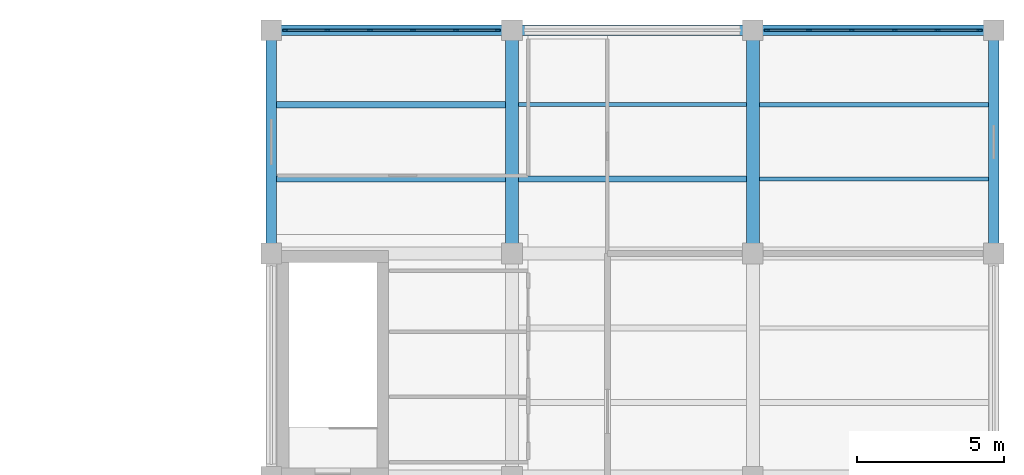
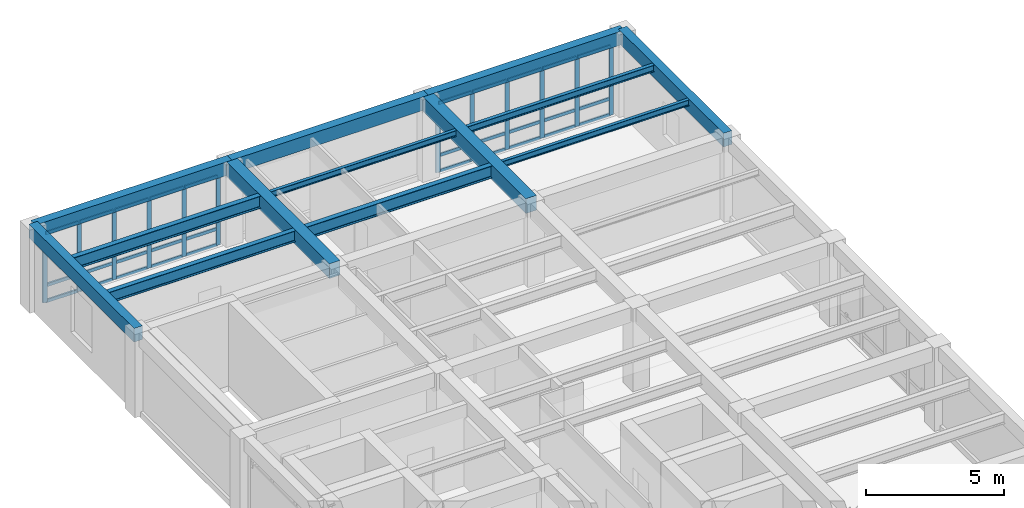
# One storey, part 4 of 8: 42 members, 13 beams, 2 elements without a shape of their own.
"""IFC4 building model written with IfcOpenShell, lengths in metres."""

import ifcopenshell
import ifcopenshell.guid

model = None  # the IFC model being written
_history = None  # IfcOwnerHistory: only IFC2X3 demands one
_inside = {}  # id of a spatial element -> (the spatial element, [elements in it])
_under = {}  # id of a project, library or spatial element -> (it, [spatial elements below it])
_declared = {}  # id of a project -> (the project, [libraries it declares])
_typed = {}  # id of a type object -> (the type object, [elements of that type])
_made_of = {}  # id of a material, layer set ... -> (it, [elements and type objects made of it])


def new_model(schema):
    """Start an empty IFC model of exactly this schema.

    Asked for "IFC4X3", IfcOpenShell would pick the latest addendum, in which some entities
    have other attributes; the version numbers below select the first issue.
    IFC2X3 requires an IfcOwnerHistory on every rooted entity: one is made here for all.
    """
    global model, _history
    if schema == "IFC4X3":
        model = ifcopenshell.file(schema_version=(4, 3, 0, 0))
    else:
        model = ifcopenshell.file(schema=schema)
    _inside.clear()
    _under.clear()
    _declared.clear()
    _typed.clear()
    _made_of.clear()
    _history = None
    if model.schema == "IFC2X3":
        org = make("IfcOrganization", Name="unknown")
        user = make(
            "IfcPersonAndOrganization",
            ThePerson=make("IfcPerson", FamilyName="unknown"),
            TheOrganization=org,
        )
        app = make(
            "IfcApplication",
            ApplicationDeveloper=org,
            Version="unknown",
            ApplicationFullName="unknown",
            ApplicationIdentifier="unknown",
        )
        _history = make(
            "IfcOwnerHistory",
            OwningUser=user,
            OwningApplication=app,
            ChangeAction="ADDED",
            CreationDate=0,
        )
    return model


def make(cls, **values):
    """One entity of the class cls with the attributes given. An attribute that is None is left unset."""
    return model.create_entity(
        cls, **{name: value for name, value in values.items() if value is not None}
    )


def rooted(cls, **values):
    """An entity with a GlobalId (a new one), such as an element, a storey or a relation."""
    return make(cls, GlobalId=ifcopenshell.guid.new(), OwnerHistory=_history, **values)


def si_unit(unit_type, name, prefix=None):
    """IfcSIUnit, for example si_unit("LENGTHUNIT", "METRE", prefix="MILLI")."""
    return make("IfcSIUnit", UnitType=unit_type, Prefix=prefix, Name=name)


def assignment(units):
    """IfcUnitAssignment: the units of a project."""
    return None if units is None else make("IfcUnitAssignment", Units=units)


def point(xyz):
    """IfcCartesianPoint."""
    return None if xyz is None else make("IfcCartesianPoint", Coordinates=xyz)


def direction(xyz):
    """IfcDirection."""
    return None if xyz is None else make("IfcDirection", DirectionRatios=xyz)


def frame(location, z_axis=None, x_axis=None):
    """IfcAxis2Placement3D, a coordinate frame: its origin and axes. An axis left out is left unset."""
    return make(
        "IfcAxis2Placement3D",
        Location=point(location),
        Axis=direction(z_axis),
        RefDirection=direction(x_axis),
    )


def frame_2d(location, x_axis=None):
    """IfcAxis2Placement2D, a coordinate frame in the plane: its origin and x axis."""
    return make(
        "IfcAxis2Placement2D", Location=point(location), RefDirection=direction(x_axis)
    )


def origin():
    """The frame at (0, 0, 0) with its axes left unset."""
    return frame((0.0, 0.0, 0.0))


def origin_2d():
    """The frame at (0, 0) in the plane with its x axis left unset."""
    return frame_2d((0.0, 0.0))


def place(relative_to, where):
    """IfcLocalPlacement: puts the frame where relative to a parent placement (None: the world)."""
    return make(
        "IfcLocalPlacement", PlacementRelTo=relative_to, RelativePlacement=where
    )


def context(
    kind, dimensions, precision=None, world=None, true_north=None, identifier=None
):
    """IfcGeometricRepresentationContext, for example the 3D "Model" context."""
    return make(
        "IfcGeometricRepresentationContext",
        ContextIdentifier=identifier,
        ContextType=kind,
        CoordinateSpaceDimension=dimensions,
        Precision=precision,
        WorldCoordinateSystem=world,
        TrueNorth=true_north,
    )


def subcontext(parent, identifier, kind, view, scale=None):
    """IfcGeometricRepresentationSubContext, for example "Body" below "Model"."""
    return make(
        "IfcGeometricRepresentationSubContext",
        ContextIdentifier=identifier,
        ContextType=kind,
        ParentContext=parent,
        TargetScale=scale,
        TargetView=view,
    )


def project(units=None, contexts=None):
    """IfcProject with its units and contexts."""
    return rooted(
        "IfcProject",
        Name="project",
        RepresentationContexts=contexts,
        UnitsInContext=assignment(units),
    )


def spatial(cls, under=None, at=None, **own):
    """A site, building, storey or space (cls), placed at a placement, below another one or the project."""
    s = rooted(cls, ObjectPlacement=at, **own)
    if under is not None:
        _under.setdefault(under.id(), (under, []))[1].append(s)
    return s


def profile(cls, at=None, kind="AREA", **sizes):
    """A parametric profile (cls). Its sizes go by their IFC names, for example OverallWidth=200.0."""
    return make(cls, ProfileType=kind, Position=at, **sizes)


def rectangle(**sizes):
    """IfcRectangleProfileDef."""
    return profile("IfcRectangleProfileDef", **sizes)


def i_section(**sizes):
    """IfcIShapeProfileDef."""
    return profile("IfcIShapeProfileDef", **sizes)


def extrude(swept, where, along, depth):
    """IfcExtrudedAreaSolid: the profile swept, set in the frame where, extruded along a direction by depth."""
    return make(
        "IfcExtrudedAreaSolid",
        SweptArea=swept,
        Position=where,
        ExtrudedDirection=direction(along),
        Depth=depth,
    )


def shape(context_of_items, identifier, shape_type, items):
    """IfcShapeRepresentation: the items that make up one representation, for example the "Body"."""
    return make(
        "IfcShapeRepresentation",
        ContextOfItems=context_of_items,
        RepresentationIdentifier=identifier,
        RepresentationType=shape_type,
        Items=items,
    )


def material(Name=None, Category=None):
    """IfcMaterial."""
    return make("IfcMaterial", Name=Name, Category=Category)


def material_profile(
    of_material, cross_section, Name=None, Category=None, Priority=None
):
    """IfcMaterialProfile: a cross section and its material."""
    return make(
        "IfcMaterialProfile",
        Name=Name,
        Material=of_material,
        Profile=cross_section,
        Priority=Priority,
        Category=Category,
    )


def profile_set(profiles, Name=None, composite=None):
    """IfcMaterialProfileSet."""
    return make(
        "IfcMaterialProfileSet",
        Name=Name,
        MaterialProfiles=profiles,
        CompositeProfile=composite,
    )


def made_of(thing, what):
    """Note that an element or type object is made of a material, layer set ...; save() writes the relation."""
    if what is not None:
        _made_of.setdefault(what.id(), (what, []))[1].append(thing)
    return thing


def type_object(cls, material=None, **own):
    """A type object (cls), such as IfcWallType, which elements share."""
    return made_of(rooted(cls, **own), material)


def element(
    cls,
    number,
    at=None,
    inside=None,
    cuts=None,
    type_object=None,
    material=None,
    context=None,
    identifier="Body",
    shape_type=None,
    held_by="IfcProductDefinitionShape",
    body=None,
    shapes=None,
    **own,
):
    """One element of the class cls, such as IfcWall. Its Tag is "e" and its number.

    at: its placement. inside: the storey or other place that contains it. cuts: it is an
    opening in that element (IfcRelVoidsElement). A single representation is given by context,
    identifier, shape_type and body (its items); several are given by shapes. held_by: the class
    of the entity that holds the representations. save() writes the other relations.
    """
    e = rooted(cls, Tag="e%d" % number, ObjectPlacement=at, **own)
    if body is not None:
        shapes = [shape(context, identifier, shape_type, body)]
    if shapes is not None:
        e.Representation = make(held_by, Representations=shapes)
    if inside is not None:
        _inside.setdefault(inside.id(), (inside, []))[1].append(e)
    if cuts is not None:
        rooted(
            "IfcRelVoidsElement", RelatingBuildingElement=cuts, RelatedOpeningElement=e
        )
    if type_object is not None:
        _typed.setdefault(type_object.id(), (type_object, []))[1].append(e)
    return made_of(e, material)


def aggregate(whole, parts):
    """IfcRelAggregates: a whole, such as a stair, and the parts it consists of."""
    return rooted("IfcRelAggregates", RelatingObject=whole, RelatedObjects=parts)


def save(model, path):
    """Write the relations noted so far, then the file.

    IfcRelAggregates (storeys below a building ...), IfcRelContainedInSpatialStructure (elements
    in a storey), IfcRelDefinesByType, IfcRelAssociatesMaterial and IfcRelDeclares: one each for
    every whole, place, type object, material and project.
    """
    for whole, parts in _under.values():
        aggregate(whole, parts)
    for where, things in _inside.values():
        rooted(
            "IfcRelContainedInSpatialStructure",
            RelatedElements=things,
            RelatingStructure=where,
        )
    for kind, things in _typed.values():
        rooted("IfcRelDefinesByType", RelatedObjects=things, RelatingType=kind)
    for what, things in _made_of.values():
        rooted("IfcRelAssociatesMaterial", RelatedObjects=things, RelatingMaterial=what)
    for by, libraries in _declared.values():
        rooted("IfcRelDeclares", RelatingContext=by, RelatedDefinitions=libraries)
    model.write(path)


model = new_model("IFC4")

# Units and contexts
model_context = context("Model", 3, precision=1e-05, world=origin(), true_north=direction((0.0, 1.0)))
body_context = subcontext(model_context, "Body", "Model", "MODEL_VIEW")
ifc_project = project(units=[si_unit("LENGTHUNIT", "METRE"), si_unit("AREAUNIT", "SQUARE_METRE"), si_unit("VOLUMEUNIT", "CUBIC_METRE"), si_unit("PLANEANGLEUNIT", "RADIAN"), si_unit("MASSUNIT", "GRAM", prefix="KILO")], contexts=[model_context])

# Site, building, storey
site_placement = place(None, origin())
site = spatial("IfcSite", under=ifc_project, at=site_placement, CompositionType="ELEMENT")
building_placement = place(site_placement, origin())
building = spatial("IfcBuilding", under=site, at=building_placement, Name="Qandaris Square Conservatory and Botanical Centre", CompositionType="ELEMENT")
storey_placement = place(building_placement, frame((0.0, 0.0, 70.199951171875)))
storey = spatial("IfcBuildingStorey", under=building, at=storey_placement, Name="L16", CompositionType="ELEMENT", Elevation=70.199951171875)

# Beams
ifc_material_1 = material(Name="Steel S355", Category="steel")
ifc_material_profile_1 = material_profile(ifc_material_1, i_section(OverallWidth=0.199951171875, OverallDepth=0.5, WebThickness=0.01025390625, FlangeThickness=0.01611328125, FilletRadius=0.02099609375, at=origin_2d()), Name="IPE 500")
ifc_profile_set_1 = profile_set([ifc_material_profile_1], Name="Steel S355")
beam_type_1 = type_object("IfcBeamType", Name="Composite Gallery Joist IPE 500", PredefinedType="JOIST", material=ifc_profile_set_1)
beam_1_placement = place(storey_placement, frame((139.375, 49.533203125, 3.41015625), z_axis=(1.0, 0.0, 0.0), x_axis=(0.0, 1.0, 0.0)))
element("IfcBeam", 1, at=beam_1_placement, inside=storey, type_object=beam_type_1, Name="L16 Composite Joist 3022", PredefinedType="JOIST", context=body_context, shape_type="SweptSolid", body=[
    extrude(i_section(OverallWidth=0.199951171875, OverallDepth=0.5, WebThickness=0.01025390625, FlangeThickness=0.01611328125, FilletRadius=0.02099609375, at=origin_2d()), origin(), (0.0, 0.0, 1.0), 7.800048828125),
])
ifc_material_profile_2 = material_profile(ifc_material_1, i_section(OverallWidth=0.14990234375, OverallDepth=0.300048828125, WebThickness=0.007080078125, FlangeThickness=0.0107421875, FilletRadius=0.014892578125, at=origin_2d()), Name="IPE 300")
ifc_profile_set_2 = profile_set([ifc_material_profile_2], Name="Steel S355")
beam_type_2 = type_object("IfcBeamType", Name="Composite Lab Joist IPE 300", PredefinedType="JOIST", material=ifc_profile_set_2)
beam_2_placement = place(storey_placement, frame((155.824951171875, 52.066650390625, 3.510009765625), z_axis=(1.0, 0.0, 0.0), x_axis=(0.0, 1.0, 0.0)))
element("IfcBeam", 2, at=beam_2_placement, inside=storey, type_object=beam_type_2, Name="L16 Composite Joist 3041", PredefinedType="JOIST", context=body_context, shape_type="SweptSolid", body=[
    extrude(i_section(OverallWidth=0.14990234375, OverallDepth=0.300048828125, WebThickness=0.007080078125, FlangeThickness=0.0107421875, FilletRadius=0.014892578125, at=origin_2d()), origin(), (0.0, 0.0, 1.0), 7.800048828125),
])

# Curtain wall, members
ifc_material_2 = material(Name="Anodised Aluminium", Category="aluminium")
curtain_wall_type = type_object("IfcCurtainWallType", Name="Unitised Curtain Wall CW-3-730x307", PredefinedType="USERDEFINED", material=ifc_material_2)
curtain_wall_1_placement = place(storey_placement, origin())
curtain_wall_1 = element("IfcCurtainWall", 3, at=curtain_wall_1_placement, inside=storey, type_object=curtain_wall_type, Name="Curtain Wall CW-TWR-L16-3-1", ObjectType="GLAZED CURTAIN WALL", PredefinedType="USERDEFINED")
ifc_material_profile_3 = material_profile(ifc_material_2, rectangle(XDim=0.06494140625, YDim=0.179931640625, at=origin_2d()), Name="ALU-MUL 65x180")
ifc_profile_set_3 = profile_set([ifc_material_profile_3], Name="Anodised Aluminium")
member_type_1 = type_object("IfcMemberType", Name="Curtain Wall Mullion 65x180", PredefinedType="MULLION", material=ifc_profile_set_3)
member_1_placement = place(storey_placement, frame((163.3173828125, 54.60009765625, 0.0), z_axis=(0.0, 0.0, 1.0), x_axis=(0.0, -1.0, 0.0)))
member_1 = element("IfcMember", 4, at=member_1_placement, type_object=member_type_1, Name="CW-3-730x307 mullion 1", PredefinedType="MULLION", context=body_context, shape_type="SweptSolid", body=[
    extrude(rectangle(XDim=0.06494140625, YDim=0.179931640625, at=origin_2d()), origin(), (0.0, 0.0, 1.0), 3.070068359375),
])
member_2_placement = place(storey_placement, frame((161.889892578125, 54.60009765625, 0.0), z_axis=(0.0, 0.0, 1.0), x_axis=(0.0, -1.0, 0.0)))
member_2 = element("IfcMember", 5, at=member_2_placement, type_object=member_type_1, Name="CW-3-730x307 mullion 2", PredefinedType="MULLION", context=body_context, shape_type="SweptSolid", body=[
    extrude(rectangle(XDim=0.06494140625, YDim=0.179931640625, at=origin_2d()), origin(), (0.0, 0.0, 1.0), 3.070068359375),
])
member_3_placement = place(storey_placement, frame((160.429931640625, 54.60009765625, 0.0), z_axis=(0.0, 0.0, 1.0), x_axis=(0.0, -1.0, 0.0)))
member_3 = element("IfcMember", 6, at=member_3_placement, type_object=member_type_1, Name="CW-3-730x307 mullion 3", PredefinedType="MULLION", context=body_context, shape_type="SweptSolid", body=[
    extrude(rectangle(XDim=0.06494140625, YDim=0.179931640625, at=origin_2d()), origin(), (0.0, 0.0, 1.0), 3.070068359375),
])
member_4_placement = place(storey_placement, frame((158.969970703125, 54.60009765625, 0.0), z_axis=(0.0, 0.0, 1.0), x_axis=(0.0, -1.0, 0.0)))
member_4 = element("IfcMember", 7, at=member_4_placement, type_object=member_type_1, Name="CW-3-730x307 mullion 4", PredefinedType="MULLION", context=body_context, shape_type="SweptSolid", body=[
    extrude(rectangle(XDim=0.06494140625, YDim=0.179931640625, at=origin_2d()), origin(), (0.0, 0.0, 1.0), 3.070068359375),
])
member_5_placement = place(storey_placement, frame((157.510009765625, 54.60009765625, 0.0), z_axis=(0.0, 0.0, 1.0), x_axis=(0.0, -1.0, 0.0)))
member_5 = element("IfcMember", 8, at=member_5_placement, type_object=member_type_1, Name="CW-3-730x307 mullion 5", PredefinedType="MULLION", context=body_context, shape_type="SweptSolid", body=[
    extrude(rectangle(XDim=0.06494140625, YDim=0.179931640625, at=origin_2d()), origin(), (0.0, 0.0, 1.0), 3.070068359375),
])
member_6_placement = place(storey_placement, frame((156.08251953125, 54.60009765625, 0.0), z_axis=(0.0, 0.0, 1.0), x_axis=(0.0, -1.0, 0.0)))
member_6 = element("IfcMember", 9, at=member_6_placement, type_object=member_type_1, Name="CW-3-730x307 mullion 6", PredefinedType="MULLION", context=body_context, shape_type="SweptSolid", body=[
    extrude(rectangle(XDim=0.06494140625, YDim=0.179931640625, at=origin_2d()), origin(), (0.0, 0.0, 1.0), 3.070068359375),
])

curtain_wall_2_placement = place(storey_placement, origin())
curtain_wall_2 = element("IfcCurtainWall", 10, at=curtain_wall_2_placement, inside=storey, type_object=curtain_wall_type, Name="Curtain Wall CW-TWR-L16-3-3", ObjectType="GLAZED CURTAIN WALL", PredefinedType="USERDEFINED")
member_7_placement = place(storey_placement, frame((146.91748046875, 54.60009765625, 0.0), z_axis=(0.0, 0.0, 1.0), x_axis=(0.0, -1.0, 0.0)))
member_7 = element("IfcMember", 11, at=member_7_placement, type_object=member_type_1, Name="CW-3-730x307 mullion 1", PredefinedType="MULLION", context=body_context, shape_type="SweptSolid", body=[
    extrude(rectangle(XDim=0.06494140625, YDim=0.179931640625, at=origin_2d()), origin(), (0.0, 0.0, 1.0), 3.070068359375),
])
member_8_placement = place(storey_placement, frame((145.489990234375, 54.60009765625, 0.0), z_axis=(0.0, 0.0, 1.0), x_axis=(0.0, -1.0, 0.0)))
member_8 = element("IfcMember", 12, at=member_8_placement, type_object=member_type_1, Name="CW-3-730x307 mullion 2", PredefinedType="MULLION", context=body_context, shape_type="SweptSolid", body=[
    extrude(rectangle(XDim=0.06494140625, YDim=0.179931640625, at=origin_2d()), origin(), (0.0, 0.0, 1.0), 3.070068359375),
])
member_9_placement = place(storey_placement, frame((144.030029296875, 54.60009765625, 0.0), z_axis=(0.0, 0.0, 1.0), x_axis=(0.0, -1.0, 0.0)))
member_9 = element("IfcMember", 13, at=member_9_placement, type_object=member_type_1, Name="CW-3-730x307 mullion 3", PredefinedType="MULLION", context=body_context, shape_type="SweptSolid", body=[
    extrude(rectangle(XDim=0.06494140625, YDim=0.179931640625, at=origin_2d()), origin(), (0.0, 0.0, 1.0), 3.070068359375),
])
member_10_placement = place(storey_placement, frame((142.570068359375, 54.60009765625, 0.0), z_axis=(0.0, 0.0, 1.0), x_axis=(0.0, -1.0, 0.0)))
member_10 = element("IfcMember", 14, at=member_10_placement, type_object=member_type_1, Name="CW-3-730x307 mullion 4", PredefinedType="MULLION", context=body_context, shape_type="SweptSolid", body=[
    extrude(rectangle(XDim=0.06494140625, YDim=0.179931640625, at=origin_2d()), origin(), (0.0, 0.0, 1.0), 3.070068359375),
])
member_11_placement = place(storey_placement, frame((141.110107421875, 54.60009765625, 0.0), z_axis=(0.0, 0.0, 1.0), x_axis=(0.0, -1.0, 0.0)))
member_11 = element("IfcMember", 15, at=member_11_placement, type_object=member_type_1, Name="CW-3-730x307 mullion 5", PredefinedType="MULLION", context=body_context, shape_type="SweptSolid", body=[
    extrude(rectangle(XDim=0.06494140625, YDim=0.179931640625, at=origin_2d()), origin(), (0.0, 0.0, 1.0), 3.070068359375),
])
member_12_placement = place(storey_placement, frame((139.6826171875, 54.60009765625, 0.0), z_axis=(0.0, 0.0, 1.0), x_axis=(0.0, -1.0, 0.0)))
member_12 = element("IfcMember", 16, at=member_12_placement, type_object=member_type_1, Name="CW-3-730x307 mullion 6", PredefinedType="MULLION", context=body_context, shape_type="SweptSolid", body=[
    extrude(rectangle(XDim=0.06494140625, YDim=0.179931640625, at=origin_2d()), origin(), (0.0, 0.0, 1.0), 3.070068359375),
])

# Member
ifc_material_profile_4 = material_profile(ifc_material_2, rectangle(XDim=0.06494140625, YDim=0.139892578125, at=origin_2d()), Name="ALU-TRN 65x140")
ifc_profile_set_4 = profile_set([ifc_material_profile_4], Name="Anodised Aluminium")
member_type_2 = type_object("IfcMemberType", Name="Curtain Wall Transom 65x140", PredefinedType="USERDEFINED", material=ifc_profile_set_4)
member_13_placement = place(storey_placement, frame((163.284912109375, 54.60009765625, 0.032470703125), z_axis=(-1.0, 0.0, 0.0), x_axis=(0.0, -1.0, 0.0)))
member_13 = element("IfcMember", 17, at=member_13_placement, type_object=member_type_2, Name="CW-3-730x307 transom 1.1", ObjectType="TRANSOM", PredefinedType="USERDEFINED", context=body_context, shape_type="SweptSolid", body=[
    extrude(rectangle(XDim=0.06494140625, YDim=0.139892578125, at=origin_2d()), origin(), (0.0, 0.0, 1.0), 1.3623046875),
])

member_14_placement = place(storey_placement, frame((163.284912109375, 54.60009765625, 0.73681640625), z_axis=(-1.0, 0.0, 0.0), x_axis=(0.0, -1.0, 0.0)))
member_14 = element("IfcMember", 18, at=member_14_placement, type_object=member_type_2, Name="CW-3-730x307 transom 1.2", ObjectType="TRANSOM", PredefinedType="USERDEFINED", context=body_context, shape_type="SweptSolid", body=[
    extrude(rectangle(XDim=0.06494140625, YDim=0.139892578125, at=origin_2d()), origin(), (0.0, 0.0, 1.0), 1.3623046875),
])

member_15_placement = place(storey_placement, frame((163.284912109375, 54.60009765625, 3.03759765625), z_axis=(-1.0, 0.0, 0.0), x_axis=(0.0, -1.0, 0.0)))
member_15 = element("IfcMember", 19, at=member_15_placement, type_object=member_type_2, Name="CW-3-730x307 transom 1.3", ObjectType="TRANSOM", PredefinedType="USERDEFINED", context=body_context, shape_type="SweptSolid", body=[
    extrude(rectangle(XDim=0.06494140625, YDim=0.139892578125, at=origin_2d()), origin(), (0.0, 0.0, 1.0), 1.3623046875),
])

member_16_placement = place(storey_placement, frame((161.857421875, 54.60009765625, 0.032470703125), z_axis=(-1.0, 0.0, 0.0), x_axis=(0.0, -1.0, 0.0)))
member_16 = element("IfcMember", 20, at=member_16_placement, type_object=member_type_2, Name="CW-3-730x307 transom 2.1", ObjectType="TRANSOM", PredefinedType="USERDEFINED", context=body_context, shape_type="SweptSolid", body=[
    extrude(rectangle(XDim=0.06494140625, YDim=0.139892578125, at=origin_2d()), origin(), (0.0, 0.0, 1.0), 1.39501953125),
])

member_17_placement = place(storey_placement, frame((161.857421875, 54.60009765625, 0.73681640625), z_axis=(-1.0, 0.0, 0.0), x_axis=(0.0, -1.0, 0.0)))
member_17 = element("IfcMember", 21, at=member_17_placement, type_object=member_type_2, Name="CW-3-730x307 transom 2.2", ObjectType="TRANSOM", PredefinedType="USERDEFINED", context=body_context, shape_type="SweptSolid", body=[
    extrude(rectangle(XDim=0.06494140625, YDim=0.139892578125, at=origin_2d()), origin(), (0.0, 0.0, 1.0), 1.39501953125),
])

member_18_placement = place(storey_placement, frame((161.857421875, 54.60009765625, 3.03759765625), z_axis=(-1.0, 0.0, 0.0), x_axis=(0.0, -1.0, 0.0)))
member_18 = element("IfcMember", 22, at=member_18_placement, type_object=member_type_2, Name="CW-3-730x307 transom 2.3", ObjectType="TRANSOM", PredefinedType="USERDEFINED", context=body_context, shape_type="SweptSolid", body=[
    extrude(rectangle(XDim=0.06494140625, YDim=0.139892578125, at=origin_2d()), origin(), (0.0, 0.0, 1.0), 1.39501953125),
])

member_19_placement = place(storey_placement, frame((160.3974609375, 54.60009765625, 0.032470703125), z_axis=(-1.0, 0.0, 0.0), x_axis=(0.0, -1.0, 0.0)))
member_19 = element("IfcMember", 23, at=member_19_placement, type_object=member_type_2, Name="CW-3-730x307 transom 3.1", ObjectType="TRANSOM", PredefinedType="USERDEFINED", context=body_context, shape_type="SweptSolid", body=[
    extrude(rectangle(XDim=0.06494140625, YDim=0.139892578125, at=origin_2d()), origin(), (0.0, 0.0, 1.0), 1.39501953125),
])

member_20_placement = place(storey_placement, frame((160.3974609375, 54.60009765625, 0.73681640625), z_axis=(-1.0, 0.0, 0.0), x_axis=(0.0, -1.0, 0.0)))
member_20 = element("IfcMember", 24, at=member_20_placement, type_object=member_type_2, Name="CW-3-730x307 transom 3.2", ObjectType="TRANSOM", PredefinedType="USERDEFINED", context=body_context, shape_type="SweptSolid", body=[
    extrude(rectangle(XDim=0.06494140625, YDim=0.139892578125, at=origin_2d()), origin(), (0.0, 0.0, 1.0), 1.39501953125),
])

member_21_placement = place(storey_placement, frame((160.3974609375, 54.60009765625, 3.03759765625), z_axis=(-1.0, 0.0, 0.0), x_axis=(0.0, -1.0, 0.0)))
member_21 = element("IfcMember", 25, at=member_21_placement, type_object=member_type_2, Name="CW-3-730x307 transom 3.3", ObjectType="TRANSOM", PredefinedType="USERDEFINED", context=body_context, shape_type="SweptSolid", body=[
    extrude(rectangle(XDim=0.06494140625, YDim=0.139892578125, at=origin_2d()), origin(), (0.0, 0.0, 1.0), 1.39501953125),
])

member_22_placement = place(storey_placement, frame((158.9375, 54.60009765625, 0.032470703125), z_axis=(-1.0, 0.0, 0.0), x_axis=(0.0, -1.0, 0.0)))
member_22 = element("IfcMember", 26, at=member_22_placement, type_object=member_type_2, Name="CW-3-730x307 transom 4.1", ObjectType="TRANSOM", PredefinedType="USERDEFINED", context=body_context, shape_type="SweptSolid", body=[
    extrude(rectangle(XDim=0.06494140625, YDim=0.139892578125, at=origin_2d()), origin(), (0.0, 0.0, 1.0), 1.39501953125),
])

member_23_placement = place(storey_placement, frame((158.9375, 54.60009765625, 0.73681640625), z_axis=(-1.0, 0.0, 0.0), x_axis=(0.0, -1.0, 0.0)))
member_23 = element("IfcMember", 27, at=member_23_placement, type_object=member_type_2, Name="CW-3-730x307 transom 4.2", ObjectType="TRANSOM", PredefinedType="USERDEFINED", context=body_context, shape_type="SweptSolid", body=[
    extrude(rectangle(XDim=0.06494140625, YDim=0.139892578125, at=origin_2d()), origin(), (0.0, 0.0, 1.0), 1.39501953125),
])

member_24_placement = place(storey_placement, frame((158.9375, 54.60009765625, 3.03759765625), z_axis=(-1.0, 0.0, 0.0), x_axis=(0.0, -1.0, 0.0)))
member_24 = element("IfcMember", 28, at=member_24_placement, type_object=member_type_2, Name="CW-3-730x307 transom 4.3", ObjectType="TRANSOM", PredefinedType="USERDEFINED", context=body_context, shape_type="SweptSolid", body=[
    extrude(rectangle(XDim=0.06494140625, YDim=0.139892578125, at=origin_2d()), origin(), (0.0, 0.0, 1.0), 1.39501953125),
])

member_25_placement = place(storey_placement, frame((157.4775390625, 54.60009765625, 0.032470703125), z_axis=(-1.0, 0.0, 0.0), x_axis=(0.0, -1.0, 0.0)))
member_25 = element("IfcMember", 29, at=member_25_placement, type_object=member_type_2, Name="CW-3-730x307 transom 5.1", ObjectType="TRANSOM", PredefinedType="USERDEFINED", context=body_context, shape_type="SweptSolid", body=[
    extrude(rectangle(XDim=0.06494140625, YDim=0.139892578125, at=origin_2d()), origin(), (0.0, 0.0, 1.0), 1.362548828125),
])

member_26_placement = place(storey_placement, frame((157.4775390625, 54.60009765625, 0.73681640625), z_axis=(-1.0, 0.0, 0.0), x_axis=(0.0, -1.0, 0.0)))
member_26 = element("IfcMember", 30, at=member_26_placement, type_object=member_type_2, Name="CW-3-730x307 transom 5.2", ObjectType="TRANSOM", PredefinedType="USERDEFINED", context=body_context, shape_type="SweptSolid", body=[
    extrude(rectangle(XDim=0.06494140625, YDim=0.139892578125, at=origin_2d()), origin(), (0.0, 0.0, 1.0), 1.362548828125),
])

member_27_placement = place(storey_placement, frame((157.4775390625, 54.60009765625, 3.03759765625), z_axis=(-1.0, 0.0, 0.0), x_axis=(0.0, -1.0, 0.0)))
member_27 = element("IfcMember", 31, at=member_27_placement, type_object=member_type_2, Name="CW-3-730x307 transom 5.3", ObjectType="TRANSOM", PredefinedType="USERDEFINED", context=body_context, shape_type="SweptSolid", body=[
    extrude(rectangle(XDim=0.06494140625, YDim=0.139892578125, at=origin_2d()), origin(), (0.0, 0.0, 1.0), 1.362548828125),
])

aggregate(curtain_wall_1, [member_1, member_2, member_3, member_4, member_5, member_6, member_13, member_14, member_15, member_16, member_17, member_18, member_19, member_20, member_21, member_22, member_23, member_24, member_25, member_26, member_27])

member_28_placement = place(storey_placement, frame((146.885009765625, 54.60009765625, 0.032470703125), z_axis=(-1.0, 0.0, 0.0), x_axis=(0.0, -1.0, 0.0)))
member_28 = element("IfcMember", 32, at=member_28_placement, type_object=member_type_2, Name="CW-3-730x307 transom 1.1", ObjectType="TRANSOM", PredefinedType="USERDEFINED", context=body_context, shape_type="SweptSolid", body=[
    extrude(rectangle(XDim=0.06494140625, YDim=0.139892578125, at=origin_2d()), origin(), (0.0, 0.0, 1.0), 1.362548828125),
])

member_29_placement = place(storey_placement, frame((146.885009765625, 54.60009765625, 0.73681640625), z_axis=(-1.0, 0.0, 0.0), x_axis=(0.0, -1.0, 0.0)))
member_29 = element("IfcMember", 33, at=member_29_placement, type_object=member_type_2, Name="CW-3-730x307 transom 1.2", ObjectType="TRANSOM", PredefinedType="USERDEFINED", context=body_context, shape_type="SweptSolid", body=[
    extrude(rectangle(XDim=0.06494140625, YDim=0.139892578125, at=origin_2d()), origin(), (0.0, 0.0, 1.0), 1.362548828125),
])

member_30_placement = place(storey_placement, frame((146.885009765625, 54.60009765625, 3.03759765625), z_axis=(-1.0, 0.0, 0.0), x_axis=(0.0, -1.0, 0.0)))
member_30 = element("IfcMember", 34, at=member_30_placement, type_object=member_type_2, Name="CW-3-730x307 transom 1.3", ObjectType="TRANSOM", PredefinedType="USERDEFINED", context=body_context, shape_type="SweptSolid", body=[
    extrude(rectangle(XDim=0.06494140625, YDim=0.139892578125, at=origin_2d()), origin(), (0.0, 0.0, 1.0), 1.362548828125),
])

member_31_placement = place(storey_placement, frame((145.45751953125, 54.60009765625, 0.032470703125), z_axis=(-1.0, 0.0, 0.0), x_axis=(0.0, -1.0, 0.0)))
member_31 = element("IfcMember", 35, at=member_31_placement, type_object=member_type_2, Name="CW-3-730x307 transom 2.1", ObjectType="TRANSOM", PredefinedType="USERDEFINED", context=body_context, shape_type="SweptSolid", body=[
    extrude(rectangle(XDim=0.06494140625, YDim=0.139892578125, at=origin_2d()), origin(), (0.0, 0.0, 1.0), 1.39501953125),
])

member_32_placement = place(storey_placement, frame((145.45751953125, 54.60009765625, 0.73681640625), z_axis=(-1.0, 0.0, 0.0), x_axis=(0.0, -1.0, 0.0)))
member_32 = element("IfcMember", 36, at=member_32_placement, type_object=member_type_2, Name="CW-3-730x307 transom 2.2", ObjectType="TRANSOM", PredefinedType="USERDEFINED", context=body_context, shape_type="SweptSolid", body=[
    extrude(rectangle(XDim=0.06494140625, YDim=0.139892578125, at=origin_2d()), origin(), (0.0, 0.0, 1.0), 1.39501953125),
])

member_33_placement = place(storey_placement, frame((145.45751953125, 54.60009765625, 3.03759765625), z_axis=(-1.0, 0.0, 0.0), x_axis=(0.0, -1.0, 0.0)))
member_33 = element("IfcMember", 37, at=member_33_placement, type_object=member_type_2, Name="CW-3-730x307 transom 2.3", ObjectType="TRANSOM", PredefinedType="USERDEFINED", context=body_context, shape_type="SweptSolid", body=[
    extrude(rectangle(XDim=0.06494140625, YDim=0.139892578125, at=origin_2d()), origin(), (0.0, 0.0, 1.0), 1.39501953125),
])

member_34_placement = place(storey_placement, frame((143.99755859375, 54.60009765625, 0.032470703125), z_axis=(-1.0, 0.0, 0.0), x_axis=(0.0, -1.0, 0.0)))
member_34 = element("IfcMember", 38, at=member_34_placement, type_object=member_type_2, Name="CW-3-730x307 transom 3.1", ObjectType="TRANSOM", PredefinedType="USERDEFINED", context=body_context, shape_type="SweptSolid", body=[
    extrude(rectangle(XDim=0.06494140625, YDim=0.139892578125, at=origin_2d()), origin(), (0.0, 0.0, 1.0), 1.39501953125),
])

member_35_placement = place(storey_placement, frame((143.99755859375, 54.60009765625, 0.73681640625), z_axis=(-1.0, 0.0, 0.0), x_axis=(0.0, -1.0, 0.0)))
member_35 = element("IfcMember", 39, at=member_35_placement, type_object=member_type_2, Name="CW-3-730x307 transom 3.2", ObjectType="TRANSOM", PredefinedType="USERDEFINED", context=body_context, shape_type="SweptSolid", body=[
    extrude(rectangle(XDim=0.06494140625, YDim=0.139892578125, at=origin_2d()), origin(), (0.0, 0.0, 1.0), 1.39501953125),
])

member_36_placement = place(storey_placement, frame((143.99755859375, 54.60009765625, 3.03759765625), z_axis=(-1.0, 0.0, 0.0), x_axis=(0.0, -1.0, 0.0)))
member_36 = element("IfcMember", 40, at=member_36_placement, type_object=member_type_2, Name="CW-3-730x307 transom 3.3", ObjectType="TRANSOM", PredefinedType="USERDEFINED", context=body_context, shape_type="SweptSolid", body=[
    extrude(rectangle(XDim=0.06494140625, YDim=0.139892578125, at=origin_2d()), origin(), (0.0, 0.0, 1.0), 1.39501953125),
])

member_37_placement = place(storey_placement, frame((142.53759765625, 54.60009765625, 0.032470703125), z_axis=(-1.0, 0.0, 0.0), x_axis=(0.0, -1.0, 0.0)))
member_37 = element("IfcMember", 41, at=member_37_placement, type_object=member_type_2, Name="CW-3-730x307 transom 4.1", ObjectType="TRANSOM", PredefinedType="USERDEFINED", context=body_context, shape_type="SweptSolid", body=[
    extrude(rectangle(XDim=0.06494140625, YDim=0.139892578125, at=origin_2d()), origin(), (0.0, 0.0, 1.0), 1.39501953125),
])

member_38_placement = place(storey_placement, frame((142.53759765625, 54.60009765625, 0.73681640625), z_axis=(-1.0, 0.0, 0.0), x_axis=(0.0, -1.0, 0.0)))
member_38 = element("IfcMember", 42, at=member_38_placement, type_object=member_type_2, Name="CW-3-730x307 transom 4.2", ObjectType="TRANSOM", PredefinedType="USERDEFINED", context=body_context, shape_type="SweptSolid", body=[
    extrude(rectangle(XDim=0.06494140625, YDim=0.139892578125, at=origin_2d()), origin(), (0.0, 0.0, 1.0), 1.39501953125),
])

member_39_placement = place(storey_placement, frame((142.53759765625, 54.60009765625, 3.03759765625), z_axis=(-1.0, 0.0, 0.0), x_axis=(0.0, -1.0, 0.0)))
member_39 = element("IfcMember", 43, at=member_39_placement, type_object=member_type_2, Name="CW-3-730x307 transom 4.3", ObjectType="TRANSOM", PredefinedType="USERDEFINED", context=body_context, shape_type="SweptSolid", body=[
    extrude(rectangle(XDim=0.06494140625, YDim=0.139892578125, at=origin_2d()), origin(), (0.0, 0.0, 1.0), 1.39501953125),
])

member_40_placement = place(storey_placement, frame((141.077392578125, 54.60009765625, 0.032470703125), z_axis=(-1.0, 0.0, 0.0), x_axis=(0.0, -1.0, 0.0)))
member_40 = element("IfcMember", 44, at=member_40_placement, type_object=member_type_2, Name="CW-3-730x307 transom 5.1", ObjectType="TRANSOM", PredefinedType="USERDEFINED", context=body_context, shape_type="SweptSolid", body=[
    extrude(rectangle(XDim=0.06494140625, YDim=0.139892578125, at=origin_2d()), origin(), (0.0, 0.0, 1.0), 1.3623046875),
])

member_41_placement = place(storey_placement, frame((141.077392578125, 54.60009765625, 0.73681640625), z_axis=(-1.0, 0.0, 0.0), x_axis=(0.0, -1.0, 0.0)))
member_41 = element("IfcMember", 45, at=member_41_placement, type_object=member_type_2, Name="CW-3-730x307 transom 5.2", ObjectType="TRANSOM", PredefinedType="USERDEFINED", context=body_context, shape_type="SweptSolid", body=[
    extrude(rectangle(XDim=0.06494140625, YDim=0.139892578125, at=origin_2d()), origin(), (0.0, 0.0, 1.0), 1.3623046875),
])

member_42_placement = place(storey_placement, frame((141.077392578125, 54.60009765625, 3.03759765625), z_axis=(-1.0, 0.0, 0.0), x_axis=(0.0, -1.0, 0.0)))
member_42 = element("IfcMember", 46, at=member_42_placement, type_object=member_type_2, Name="CW-3-730x307 transom 5.3", ObjectType="TRANSOM", PredefinedType="USERDEFINED", context=body_context, shape_type="SweptSolid", body=[
    extrude(rectangle(XDim=0.06494140625, YDim=0.139892578125, at=origin_2d()), origin(), (0.0, 0.0, 1.0), 1.3623046875),
])

aggregate(curtain_wall_2, [member_7, member_8, member_9, member_10, member_11, member_12, member_28, member_29, member_30, member_31, member_32, member_33, member_34, member_35, member_36, member_37, member_38, member_39, member_40, member_41, member_42])

# Beams
ifc_material_profile_5 = material_profile(ifc_material_1, i_section(OverallWidth=0.2099609375, OverallDepth=0.550048828125, WebThickness=0.010986328125, FlangeThickness=0.01708984375, FilletRadius=0.02392578125, at=origin_2d()), Name="IPE 550")
ifc_profile_set_5 = profile_set([ifc_material_profile_5], Name="Steel S355")
beam_type_3 = type_object("IfcBeamType", Name="Long-Span Foyer Joist IPE 550", PredefinedType="JOIST", material=ifc_profile_set_5)
beam_3_placement = place(storey_placement, frame((139.375, 52.066650390625, 3.385009765625), z_axis=(1.0, 0.0, 0.0), x_axis=(0.0, 1.0, 0.0)))
element("IfcBeam", 47, at=beam_3_placement, inside=storey, type_object=beam_type_3, Name="L16 Composite Joist 3023", PredefinedType="JOIST", context=body_context, shape_type="SweptSolid", body=[
    extrude(i_section(OverallWidth=0.2099609375, OverallDepth=0.550048828125, WebThickness=0.010986328125, FlangeThickness=0.01708984375, FilletRadius=0.02392578125, at=origin_2d()), origin(), (0.0, 0.0, 1.0), 7.800048828125),
])
beam_4_placement = place(storey_placement, frame((147.625, 49.533203125, 3.385009765625), z_axis=(1.0, 0.0, 0.0), x_axis=(0.0, 1.0, 0.0)))
element("IfcBeam", 48, at=beam_4_placement, inside=storey, type_object=beam_type_3, Name="L16 Composite Joist 3030", PredefinedType="JOIST", context=body_context, shape_type="SweptSolid", body=[
    extrude(i_section(OverallWidth=0.2099609375, OverallDepth=0.550048828125, WebThickness=0.010986328125, FlangeThickness=0.01708984375, FilletRadius=0.02392578125, at=origin_2d()), origin(), (0.0, 0.0, 1.0), 7.75),
])
ifc_material_3 = material(Name="Concrete C50/60", Category="concrete")
ifc_material_profile_6 = material_profile(ifc_material_3, rectangle(XDim=0.35009765625, YDim=0.60009765625, at=origin_2d()), Name="RC-SP 350x600")
ifc_profile_set_6 = profile_set([ifc_material_profile_6], Name="Concrete C50/60")
beam_type_4 = type_object("IfcBeamType", Name="RC Edge Spandrel Beam 350x600", PredefinedType="SPANDREL", material=ifc_profile_set_6)
beam_5_placement = place(storey_placement, frame((139.199951171875, 54.60009765625, 3.3701171875), z_axis=(1.0, 0.0, 0.0), x_axis=(0.0, 1.0, 0.0)))
element("IfcBeam", 49, at=beam_5_placement, inside=storey, type_object=beam_type_4, Name="L16 Frame Beam 2990", PredefinedType="SPANDREL", context=body_context, shape_type="SweptSolid", body=[
    extrude(rectangle(XDim=0.35009765625, YDim=0.60009765625, at=origin_2d()), origin(), (0.0, 0.0, 1.0), 8.199951171875),
])
beam_6_placement = place(storey_placement, frame((147.39990234375, 54.60009765625, 3.3701171875), z_axis=(1.0, 0.0, 0.0), x_axis=(0.0, 1.0, 0.0)))
element("IfcBeam", 50, at=beam_6_placement, inside=storey, type_object=beam_type_4, Name="L16 Frame Beam 2991", PredefinedType="SPANDREL", context=body_context, shape_type="SweptSolid", body=[
    extrude(rectangle(XDim=0.35009765625, YDim=0.60009765625, at=origin_2d()), origin(), (0.0, 0.0, 1.0), 8.2001953125),
])
beam_7_placement = place(storey_placement, frame((155.60009765625, 54.60009765625, 3.3701171875), z_axis=(1.0, 0.0, 0.0), x_axis=(0.0, 1.0, 0.0)))
element("IfcBeam", 51, at=beam_7_placement, inside=storey, type_object=beam_type_4, Name="L16 Frame Beam 2992", PredefinedType="SPANDREL", context=body_context, shape_type="SweptSolid", body=[
    extrude(rectangle(XDim=0.35009765625, YDim=0.60009765625, at=origin_2d()), origin(), (0.0, 0.0, 1.0), 8.199951171875),
])
for number, where, z_axis, x_axis, name in (
    (52, (139.199951171875, 47.0, 3.3701171875), (0.0, 1.0, 0.0), (-1.0, 0.0, 0.0), "L16 Frame Beam 2999"),
    (53, (163.800048828125, 47.0, 3.3701171875), (0.0, 1.0, 0.0), (-1.0, 0.0, 0.0), "L16 Frame Beam 3014"),
):
    element("IfcBeam", number, at=place(storey_placement, frame(where, z_axis=z_axis, x_axis=x_axis)), inside=storey, type_object=beam_type_4, Name=name, PredefinedType="SPANDREL", context=body_context, shape_type="SweptSolid", body=[
        extrude(rectangle(XDim=0.35009765625, YDim=0.60009765625, at=origin_2d()), origin(), (0.0, 0.0, 1.0), 7.60009765625),
    ])
ifc_material_profile_7 = material_profile(ifc_material_3, rectangle(XDim=0.449951171875, YDim=0.64990234375, at=origin_2d()), Name="RC-BM 450x650")
ifc_profile_set_7 = profile_set([ifc_material_profile_7], Name="Concrete C50/60")
beam_type_5 = type_object("IfcBeamType", Name="RC Floor Girder 450x650", PredefinedType="BEAM", material=ifc_profile_set_7)
for number, where, z_axis, x_axis, name in (
    (54, (147.39990234375, 47.0, 3.344970703125), (0.0, 1.0, 0.0), (-1.0, 0.0, 0.0), "L16 Frame Beam 3004"),
    (55, (155.60009765625, 47.0, 3.344970703125), (0.0, 1.0, 0.0), (-1.0, 0.0, 0.0), "L16 Frame Beam 3009"),
):
    element("IfcBeam", number, at=place(storey_placement, frame(where, z_axis=z_axis, x_axis=x_axis)), inside=storey, type_object=beam_type_5, Name=name, PredefinedType="BEAM", context=body_context, shape_type="SweptSolid", body=[
        extrude(rectangle(XDim=0.449951171875, YDim=0.64990234375, at=origin_2d()), origin(), (0.0, 0.0, 1.0), 7.60009765625),
    ])
ifc_material_profile_8 = material_profile(ifc_material_1, i_section(OverallWidth=0.135009765625, OverallDepth=0.27001953125, WebThickness=0.006591796875, FlangeThickness=0.01025390625, FilletRadius=0.014892578125, at=origin_2d()), Name="IPE 270")
ifc_profile_set_8 = profile_set([ifc_material_profile_8], Name="Steel S355")
beam_type_6 = type_object("IfcBeamType", Name="Steel Floor Joist IPE 270", PredefinedType="JOIST", material=ifc_profile_set_8)
beam_8_placement = place(storey_placement, frame((147.625, 52.066650390625, 3.525146484375), z_axis=(1.0, 0.0, 0.0), x_axis=(0.0, 1.0, 0.0)))
element("IfcBeam", 56, at=beam_8_placement, inside=storey, type_object=beam_type_6, Name="L16 Composite Joist 3031", PredefinedType="JOIST", context=body_context, shape_type="SweptSolid", body=[
    extrude(i_section(OverallWidth=0.135009765625, OverallDepth=0.27001953125, WebThickness=0.006591796875, FlangeThickness=0.01025390625, FilletRadius=0.014892578125, at=origin_2d()), origin(), (0.0, 0.0, 1.0), 7.75),
])
beam_9_placement = place(storey_placement, frame((155.824951171875, 49.533203125, 3.525146484375), z_axis=(1.0, 0.0, 0.0), x_axis=(0.0, 1.0, 0.0)))
element("IfcBeam", 57, at=beam_9_placement, inside=storey, type_object=beam_type_6, Name="L16 Composite Joist 3040", PredefinedType="JOIST", context=body_context, shape_type="SweptSolid", body=[
    extrude(i_section(OverallWidth=0.135009765625, OverallDepth=0.27001953125, WebThickness=0.006591796875, FlangeThickness=0.01025390625, FilletRadius=0.014892578125, at=origin_2d()), origin(), (0.0, 0.0, 1.0), 7.800048828125),
])

save(model, "model.ifc")
